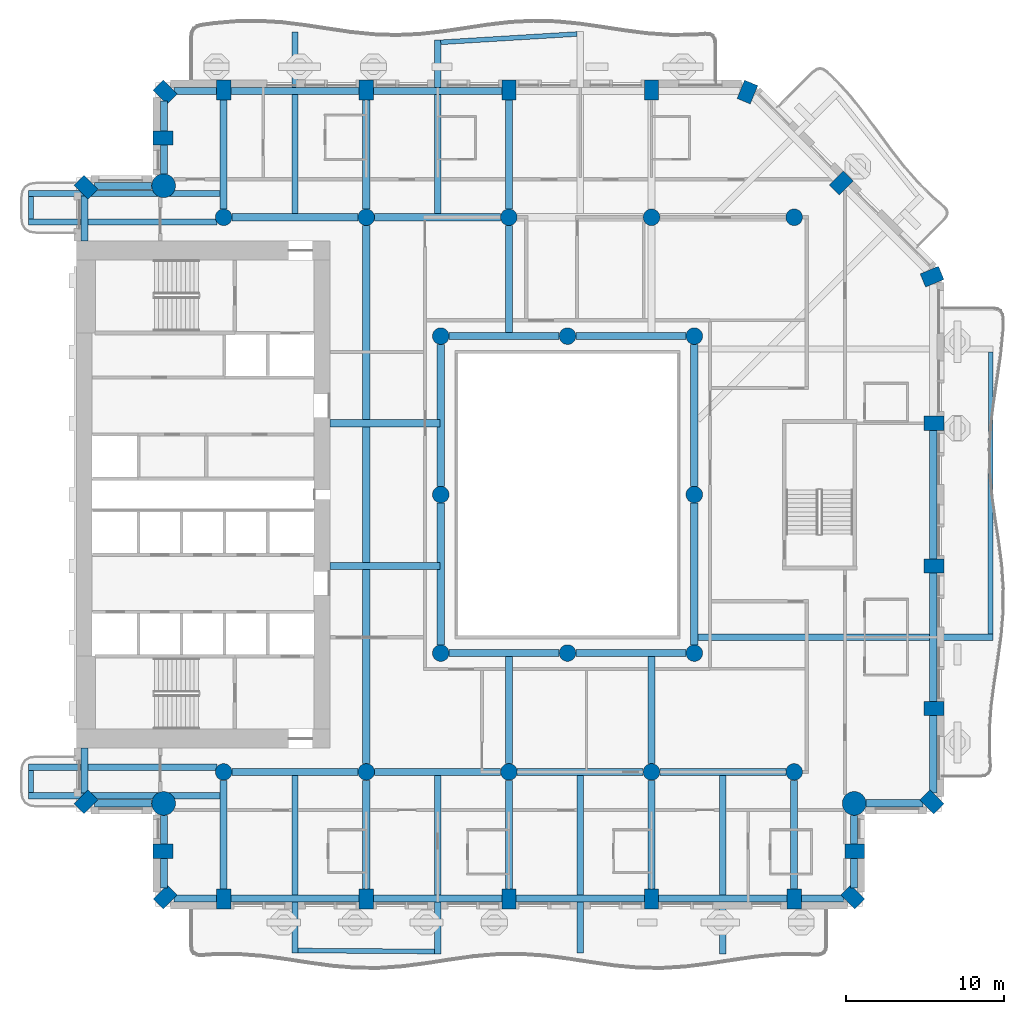
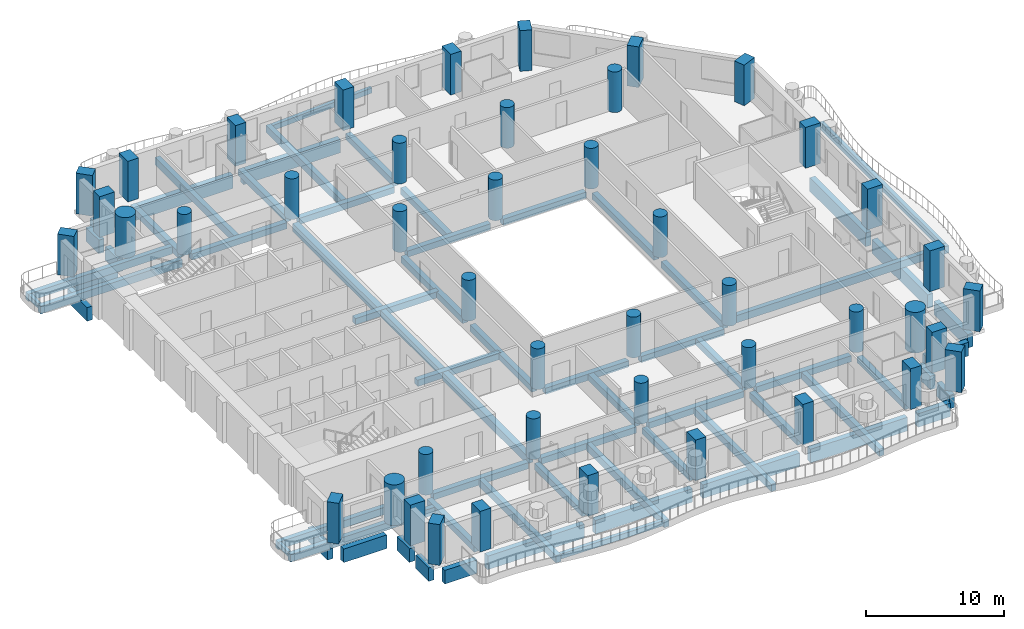
# One storey, part 1 of 19: 69 beams, 45 columns.
"""IFC4 building model written with IfcOpenShell, lengths in metres."""

from ifc_helpers import new_model, si_unit, direction, frame, origin, origin_2d, place, context, subcontext, project, spatial, rectangle, circle, extrude, material, material_profile, profile_set, type_object, element, save


model = new_model("IFC4")

# Units and contexts
model_context = context("Model", 3, precision=1e-05, world=origin(), true_north=direction((0.0, 1.0)))
body_context = subcontext(model_context, "Body", "Model", "MODEL_VIEW")
ifc_project = project(units=[si_unit("LENGTHUNIT", "METRE"), si_unit("AREAUNIT", "SQUARE_METRE"), si_unit("VOLUMEUNIT", "CUBIC_METRE"), si_unit("PLANEANGLEUNIT", "RADIAN"), si_unit("MASSUNIT", "GRAM", prefix="KILO")], contexts=[model_context])

# Site, building, storey
site_placement = place(None, origin())
site = spatial("IfcSite", under=ifc_project, at=site_placement, CompositionType="ELEMENT")
building_placement = place(site_placement, origin())
building = spatial("IfcBuilding", under=site, at=building_placement, Name="Cypress Arch Tower", CompositionType="ELEMENT")
storey_placement = place(building_placement, frame((0.0, 0.0, 105.89990234375)))
storey = spatial("IfcBuildingStorey", under=building, at=storey_placement, Name="L21", CompositionType="ELEMENT", Elevation=105.89990234375)

# Columns
ifc_material_1 = material(Name="Concrete C80/95", Category="concrete")
ifc_material_profile_1 = material_profile(ifc_material_1, rectangle(XDim=0.89990234375, YDim=1.25, at=origin_2d()), Name="RC 900x1250")
ifc_profile_set_1 = profile_set([ifc_material_profile_1], Name="Concrete C80/95")
column_type_1 = type_object("IfcColumnType", Name="Column RC 900x1250 Concrete C80/95", PredefinedType="COLUMN", material=ifc_profile_set_1)
for number, where, z_axis, x_axis, name in (
    (1, (-29.389892578125, 19.389892578125, 0.0), (0.0, 0.0, 1.0), (-0.707106781187, -0.707106781187, 0.0), "Column L21 CA00"),
    (2, (-29.389892578125, -19.389892578125, 0.0), (0.0, 0.0, 1.0), (0.707106781187, -0.707106781187, 0.0), "Column L21 CA01"),
    (3, (-24.52490234375, -22.5, 0.0), (0.0, 0.0, 1.0), (0.0, -1.0, 0.0), "Column L21 CA03"),
    (4, (-24.389892578125, -25.389892578125, 0.0), (0.0, 0.0, 1.0), (0.707106781187, -0.707106781187, 0.0), "Column L21 CA04"),
    (5, (-20.699951171875, -25.52490234375, 0.0), (0.0, 0.0, 1.0), (1.0, 0.0, 0.0), "Column L21 CA05"),
    (6, (-11.699951171875, -25.52490234375, 0.0), (0.0, 0.0, 1.0), (1.0, 0.0, 0.0), "Column L21 CA06"),
    (7, (-2.699951171875, -25.52490234375, 0.0), (0.0, 0.0, 1.0), (1.0, 0.0, 0.0), "Column L21 CA07"),
    (8, (6.300048828125, -25.52490234375, 0.0), (0.0, 0.0, 1.0), (1.0, 0.0, 0.0), "Column L21 CA08"),
    (9, (15.300048828125, -25.52490234375, 0.0), (0.0, 0.0, 1.0), (1.0, 0.0, 0.0), "Column L21 CA09"),
    (10, (18.98974609375, -25.389892578125, 0.0), (0.0, 0.0, 1.0), (0.707106781187, 0.707106781187, 0.0), "Column L21 CA10"),
    (11, (19.125, -22.5, 0.0), (0.0, 0.0, 1.0), (0.0, 1.0, 0.0), "Column L21 CA11"),
    (12, (23.98974609375, -19.389892578125, 0.0), (0.0, 0.0, 1.0), (0.707106781187, 0.707106781187, 0.0), "Column L21 CA13"),
    (13, (24.125, -13.5, 0.0), (0.0, 0.0, 1.0), (0.0, 1.0, 0.0), "Column L21 CA14"),
    (14, (24.125, -4.5, 0.0), (0.0, 0.0, 1.0), (0.0, 1.0, 0.0), "Column L21 CA15"),
    (15, (24.125, 4.5, 0.0), (0.0, 0.0, 1.0), (0.0, 1.0, 0.0), "Column L21 CA16"),
    (16, (24.00048828125, 13.751708984375, 0.0), (0.0, 0.0, 1.0), (-0.382683496864, 0.923879505795, 0.0), "Column L21 CA17"),
    (17, (18.26416015625, 19.6640625, 0.0), (0.0, 0.0, 1.0), (-0.707106781187, 0.707106781187, 0.0), "Column L21 CA18"),
    (18, (12.3515625, 25.400390625, 0.0), (0.0, 0.0, 1.0), (-0.923879505795, 0.382683496864, 0.0), "Column L21 CA19"),
    (19, (6.300048828125, 25.52490234375, 0.0), (0.0, 0.0, 1.0), (-1.0, 0.0, 0.0), "Column L21 CA20"),
    (20, (-2.699951171875, 25.52490234375, 0.0), (0.0, 0.0, 1.0), (-1.0, 0.0, 0.0), "Column L21 CA21"),
    (21, (-11.699951171875, 25.52490234375, 0.0), (0.0, 0.0, 1.0), (-1.0, 0.0, 0.0), "Column L21 CA22"),
    (22, (-20.699951171875, 25.52490234375, 0.0), (0.0, 0.0, 1.0), (-1.0, 0.0, 0.0), "Column L21 CA23"),
    (23, (-24.389892578125, 25.389892578125, 0.0), (0.0, 0.0, 1.0), (-0.707106781187, -0.707106781187, 0.0), "Column L21 CA24"),
    (24, (-24.52490234375, 22.5, 0.0), (0.0, 0.0, 1.0), (0.0, -1.0, 0.0), "Column L21 CA25"),
):
    element("IfcColumn", number, at=place(storey_placement, frame(where, z_axis=z_axis, x_axis=x_axis)), inside=storey, type_object=column_type_1, Name=name, PredefinedType="COLUMN", context=body_context, shape_type="SweptSolid", body=[
        extrude(rectangle(XDim=0.89990234375, YDim=1.25, at=origin_2d()), origin(), (0.0, 0.0, 1.0), 3.60009765625),
    ])
ifc_material_2 = material(Name="Concrete C70/85", Category="concrete")
ifc_material_profile_2 = material_profile(ifc_material_2, circle(Radius=0.52490234375, at=origin_2d()), Name="RC D1050")
ifc_profile_set_2 = profile_set([ifc_material_profile_2], Name="Concrete C70/85")
column_type_2 = type_object("IfcColumnType", Name="Column RC D1050 Concrete C70/85", PredefinedType="COLUMN", material=ifc_profile_set_2)
for number, where, z_axis, x_axis, name in (
    (25, (-20.699951171875, -17.5, 0.0), (0.0, 0.0, 1.0), (1.0, 0.0, 0.0), "Column L21 CIC-L21-CI3S"),
    (26, (-11.699951171875, -17.5, 0.0), (0.0, 0.0, 1.0), (1.0, 0.0, 0.0), "Column L21 CIC-L21-CI4S"),
    (27, (-2.699951171875, -17.5, 0.0), (0.0, 0.0, 1.0), (1.0, 0.0, 0.0), "Column L21 CIC-L21-CI5S"),
    (28, (6.300048828125, -17.5, 0.0), (0.0, 0.0, 1.0), (1.0, 0.0, 0.0), "Column L21 CIC-L21-CI6S"),
    (29, (15.300048828125, -17.5, 0.0), (0.0, 0.0, 1.0), (1.0, 0.0, 0.0), "Column L21 CIC-L21-CI7S"),
    (30, (-20.699951171875, 17.5, 0.0), (0.0, 0.0, 1.0), (1.0, 0.0, 0.0), "Column L21 CIC-L21-CI3N"),
    (31, (-11.699951171875, 17.5, 0.0), (0.0, 0.0, 1.0), (1.0, 0.0, 0.0), "Column L21 CIC-L21-CI4N"),
    (32, (-2.699951171875, 17.5, 0.0), (0.0, 0.0, 1.0), (1.0, 0.0, 0.0), "Column L21 CIC-L21-CI5N"),
    (33, (6.300048828125, 17.5, 0.0), (0.0, 0.0, 1.0), (1.0, 0.0, 0.0), "Column L21 CIC-L21-CI6N"),
    (34, (15.300048828125, 17.5, 0.0), (0.0, 0.0, 1.0), (1.0, 0.0, 0.0), "Column L21 CIC-L21-CI7N"),
    (35, (-7.0, -10.0, 0.0), (0.0, 0.0, 1.0), (1.0, 0.0, 0.0), "Column L21 RNG-L21-G-7-10"),
    (36, (-7.0, 0.0, 0.0), (0.0, 0.0, 1.0), (1.0, 0.0, 0.0), "Column L21 RNG-L21-G-7+0"),
    (37, (-7.0, 10.0, 0.0), (0.0, 0.0, 1.0), (1.0, 0.0, 0.0), "Column L21 RNG-L21-G-7+10"),
    (38, (1.0, -10.0, 0.0), (0.0, 0.0, 1.0), (1.0, 0.0, 0.0), "Column L21 RNG-L21-G+1-10"),
    (39, (1.0, 10.0, 0.0), (0.0, 0.0, 1.0), (1.0, 0.0, 0.0), "Column L21 RNG-L21-G+1+10"),
    (40, (9.0, -10.0, 0.0), (0.0, 0.0, 1.0), (1.0, 0.0, 0.0), "Column L21 RNG-L21-G+9-10"),
    (41, (9.0, 0.0, 0.0), (0.0, 0.0, 1.0), (1.0, 0.0, 0.0), "Column L21 RNG-L21-G+9+0"),
    (42, (9.0, 10.0, 0.0), (0.0, 0.0, 1.0), (1.0, 0.0, 0.0), "Column L21 RNG-L21-G+9+10"),
):
    element("IfcColumn", number, at=place(storey_placement, frame(where, z_axis=z_axis, x_axis=x_axis)), inside=storey, type_object=column_type_2, Name=name, PredefinedType="COLUMN", context=body_context, shape_type="SweptSolid", body=[
        extrude(circle(Radius=0.52490234375, at=origin_2d()), origin(), (0.0, 0.0, 1.0), 3.60009765625),
    ])
ifc_material_3 = material(Name="Concrete C80/95", Category="concrete")
ifc_material_profile_3 = material_profile(ifc_material_3, circle(Radius=0.75, at=origin_2d()), Name="RC D1500")
ifc_profile_set_3 = profile_set([ifc_material_profile_3], Name="Concrete C80/95")
column_type_3 = type_object("IfcColumnType", Name="Mega-column RC D1500 Concrete C80/95", PredefinedType="COLUMN", material=ifc_profile_set_3)
for number, where, z_axis, x_axis, name in (
    (43, (-24.48779296875, -19.48779296875, 0.0), (0.0, 0.0, 1.0), (1.0, 0.0, 0.0), "Column L21 CA02"),
    (44, (19.087890625, -19.48779296875, 0.0), (0.0, 0.0, 1.0), (1.0, 0.0, 0.0), "Column L21 CA12"),
    (45, (-24.48779296875, 19.48779296875, 0.0), (0.0, 0.0, 1.0), (1.0, 0.0, 0.0), "Column L21 CA26"),
):
    element("IfcColumn", number, at=place(storey_placement, frame(where, z_axis=z_axis, x_axis=x_axis)), inside=storey, type_object=column_type_3, Name=name, PredefinedType="COLUMN", context=body_context, shape_type="SweptSolid", body=[
        extrude(circle(Radius=0.75, at=origin_2d()), origin(), (0.0, 0.0, 1.0), 3.60009765625),
    ])

# Beams
ifc_material_4 = material(Name="Concrete C50/60", Category="concrete")
ifc_material_profile_4 = material_profile(ifc_material_4, rectangle(XDim=0.300048828125, YDim=0.449951171875, at=origin_2d()), Name="RC 300x450")
ifc_profile_set_4 = profile_set([ifc_material_profile_4], Name="Concrete C50/60")
beam_type_1 = type_object("IfcBeamType", Name="Balcony edge beam RC 300x450 Concrete C50/60", PredefinedType="BEAM", material=ifc_profile_set_4)
beam_1_placement = place(storey_placement, frame((-16.0, -28.769287109375, -0.52490234375), z_axis=(0.999974615171, -0.007125237847, 0.0), x_axis=(0.007125237847, 0.999974615171, 0.0)))
element("IfcBeam", 46, at=beam_1_placement, inside=storey, type_object=beam_type_1, Name="Balcony edge beam L21 A03", PredefinedType="BEAM", context=body_context, shape_type="SweptSolid", body=[
    extrude(rectangle(XDim=0.300048828125, YDim=0.449951171875, at=origin_2d()), origin(), (0.0, 0.0, 1.0), 8.600341796875),
])
beam_2_placement = place(storey_placement, frame((1.60009765625, 29.06298828125, -0.52490234375), z_axis=(-0.998166629553, -0.060525859329, 0.0), x_axis=(0.060525859329, -0.998166629553, 0.0)))
element("IfcBeam", 47, at=beam_2_placement, inside=storey, type_object=beam_type_1, Name="Balcony edge beam L21 A08", PredefinedType="BEAM", context=body_context, shape_type="SweptSolid", body=[
    extrude(rectangle(XDim=0.300048828125, YDim=0.449951171875, at=origin_2d()), origin(), (0.0, 0.0, 1.0), 8.615966796875),
])
ifc_material_5 = material(Name="Concrete C50/60", Category="concrete")
ifc_material_profile_5 = material_profile(ifc_material_5, rectangle(XDim=0.300048828125, YDim=0.64990234375, at=origin_2d()), Name="RC 300x650")
ifc_profile_set_5 = profile_set([ifc_material_profile_5], Name="Concrete C50/60")
beam_type_2 = type_object("IfcBeamType", Name="Balcony edge beam RC 300x650 Concrete C50/60", PredefinedType="BEAM", material=ifc_profile_set_5)
beam_3_placement = place(storey_placement, frame((27.687255859375, -8.800048828125, -0.625), z_axis=(0.000864683518, 0.999999626161, 0.0), x_axis=(-0.999999626161, 0.000864683518, 0.0)))
element("IfcBeam", 48, at=beam_3_placement, inside=storey, type_object=beam_type_2, Name="Balcony edge beam L21 A06", PredefinedType="BEAM", context=body_context, shape_type="SweptSolid", body=[
    extrude(rectangle(XDim=0.300048828125, YDim=0.64990234375, at=origin_2d()), origin(), (0.0, 0.0, 1.0), 17.787841796875),
])
ifc_material_6 = material(Name="Concrete C50/60", Category="concrete")
ifc_material_profile_6 = material_profile(ifc_material_6, rectangle(XDim=0.300048828125, YDim=0.39990234375, at=origin_2d()), Name="RC 300x400")
ifc_profile_set_6 = profile_set([ifc_material_profile_6], Name="Concrete C50/60")
beam_type_3 = type_object("IfcBeamType", Name="Balcony stub beam RC 300x400 Concrete C50/60", PredefinedType="BEAM", material=ifc_profile_set_6)
for number, where, z_axis, x_axis, name in (
    (49, (-32.85009765625, 18.800048828125, -0.5), (0.0, -1.0, 0.0), (1.0, 0.0, 0.0), "Balcony stub beam L21 A00W0"),
    (50, (-32.85009765625, -17.39990234375, -0.5), (0.0, -1.0, 0.0), (1.0, 0.0, 0.0), "Balcony stub beam L21 A00W1"),
):
    element("IfcBeam", number, at=place(storey_placement, frame(where, z_axis=z_axis, x_axis=x_axis)), inside=storey, type_object=beam_type_3, Name=name, PredefinedType="BEAM", context=body_context, shape_type="SweptSolid", body=[
        extrude(rectangle(XDim=0.300048828125, YDim=0.39990234375, at=origin_2d()), origin(), (0.0, 0.0, 1.0), 1.400146484375),
    ])
ifc_material_7 = material(Name="Concrete C50/60", Category="concrete")
ifc_material_profile_7 = material_profile(ifc_material_7, rectangle(XDim=0.39990234375, YDim=0.64990234375, at=origin_2d()), Name="RC 400x650")
ifc_profile_set_7 = profile_set([ifc_material_profile_7], Name="Concrete C50/60")
beam_type_4 = type_object("IfcBeamType", Name="Cantilever beam RC 400x650 Concrete C50/60", PredefinedType="BEAM", material=ifc_profile_set_7)
beam_4_placement = place(storey_placement, frame((-20.925048828125, 19.0, -0.625), z_axis=(-1.0, 0.0, 0.0), x_axis=(0.0, -1.0, 0.0)))
element("IfcBeam", 51, at=beam_4_placement, inside=storey, type_object=beam_type_4, Name="Cantilever beam L21 A00 1", PredefinedType="BEAM", context=body_context, shape_type="SweptSolid", body=[
    extrude(rectangle(XDim=0.39990234375, YDim=0.64990234375, at=origin_2d()), origin(), (0.0, 0.0, 1.0), 12.074951171875),
])
for number, where, z_axis, x_axis, name in (
    (52, (-21.130615234375, 17.199951171875, -0.625), (-1.0, 0.0, 0.0), (0.0, -1.0, 0.0), "Cantilever beam L21 A00 2"),
    (53, (-21.130615234375, -17.199951171875, -0.625), (-1.0, 0.0, 0.0), (0.0, -1.0, 0.0), "Cantilever beam L21 A00 1"),
):
    element("IfcBeam", number, at=place(storey_placement, frame(where, z_axis=z_axis, x_axis=x_axis)), inside=storey, type_object=beam_type_4, Name=name, PredefinedType="BEAM", context=body_context, shape_type="SweptSolid", body=[
        extrude(rectangle(XDim=0.39990234375, YDim=0.64990234375, at=origin_2d()), origin(), (0.0, 0.0, 1.0), 11.869384765625),
    ])
beam_5_placement = place(storey_placement, frame((-20.925048828125, -19.0, -0.625), z_axis=(-1.0, 0.0, 0.0), x_axis=(0.0, -1.0, 0.0)))
element("IfcBeam", 54, at=beam_5_placement, inside=storey, type_object=beam_type_4, Name="Cantilever beam L21 A00 2", PredefinedType="BEAM", context=body_context, shape_type="SweptSolid", body=[
    extrude(rectangle(XDim=0.39990234375, YDim=0.64990234375, at=origin_2d()), origin(), (0.0, 0.0, 1.0), 12.074951171875),
])
beam_6_placement = place(storey_placement, frame((-16.199951171875, -17.72509765625, -0.625), z_axis=(0.0, -1.0, 0.0), x_axis=(1.0, 0.0, 0.0)))
element("IfcBeam", 55, at=beam_6_placement, inside=storey, type_object=beam_type_4, Name="Cantilever beam L21 A03 1", PredefinedType="BEAM", context=body_context, shape_type="SweptSolid", body=[
    extrude(rectangle(XDim=0.39990234375, YDim=0.64990234375, at=origin_2d()), origin(), (0.0, 0.0, 1.0), 11.194091796875),
])
beam_7_placement = place(storey_placement, frame((-7.199951171875, -17.72509765625, -0.625), z_axis=(0.0, -1.0, 0.0), x_axis=(1.0, 0.0, 0.0)))
element("IfcBeam", 56, at=beam_7_placement, inside=storey, type_object=beam_type_4, Name="Cantilever beam L21 A03 2", PredefinedType="BEAM", context=body_context, shape_type="SweptSolid", body=[
    extrude(rectangle(XDim=0.39990234375, YDim=0.64990234375, at=origin_2d()), origin(), (0.0, 0.0, 1.0), 11.25537109375),
])
beam_8_placement = place(storey_placement, frame((1.800048828125, -17.72509765625, -0.625), z_axis=(0.0, -1.0, 0.0), x_axis=(1.0, 0.0, 0.0)))
element("IfcBeam", 57, at=beam_8_placement, inside=storey, type_object=beam_type_4, Name="Cantilever beam L21 A03 3", PredefinedType="BEAM", context=body_context, shape_type="SweptSolid", body=[
    extrude(rectangle(XDim=0.39990234375, YDim=0.64990234375, at=origin_2d()), origin(), (0.0, 0.0, 1.0), 11.19482421875),
])
beam_9_placement = place(storey_placement, frame((10.800048828125, -17.72509765625, -0.625), z_axis=(0.0, -1.0, 0.0), x_axis=(1.0, 0.0, 0.0)))
element("IfcBeam", 58, at=beam_9_placement, inside=storey, type_object=beam_type_4, Name="Cantilever beam L21 A03 4", PredefinedType="BEAM", context=body_context, shape_type="SweptSolid", body=[
    extrude(rectangle(XDim=0.39990234375, YDim=0.64990234375, at=origin_2d()), origin(), (0.0, 0.0, 1.0), 11.2548828125),
])
beam_10_placement = place(storey_placement, frame((9.22509765625, -9.0, -0.625), z_axis=(1.0, 0.0, 0.0), x_axis=(0.0, 1.0, 0.0)))
element("IfcBeam", 59, at=beam_10_placement, inside=storey, type_object=beam_type_4, Name="Cantilever beam L21 A06 1", PredefinedType="BEAM", context=body_context, shape_type="SweptSolid", body=[
    extrude(rectangle(XDim=0.39990234375, YDim=0.64990234375, at=origin_2d()), origin(), (0.0, 0.0, 1.0), 18.6123046875),
])
beam_11_placement = place(storey_placement, frame((-7.199951171875, 17.72509765625, -0.625), z_axis=(0.0, 1.0, 0.0), x_axis=(-1.0, 0.0, 0.0)))
element("IfcBeam", 60, at=beam_11_placement, inside=storey, type_object=beam_type_4, Name="Cantilever beam L21 A08 2", PredefinedType="BEAM", context=body_context, shape_type="SweptSolid", body=[
    extrude(rectangle(XDim=0.39990234375, YDim=0.64990234375, at=origin_2d()), origin(), (0.0, 0.0, 1.0), 10.96630859375),
])
beam_12_placement = place(storey_placement, frame((-16.199951171875, 17.72509765625, -0.625), z_axis=(0.0, 1.0, 0.0), x_axis=(-1.0, 0.0, 0.0)))
element("IfcBeam", 61, at=beam_12_placement, inside=storey, type_object=beam_type_4, Name="Cantilever beam L21 A08 3", PredefinedType="BEAM", context=body_context, shape_type="SweptSolid", body=[
    extrude(rectangle(XDim=0.39990234375, YDim=0.64990234375, at=origin_2d()), origin(), (0.0, 0.0, 1.0), 11.48095703125),
])
ifc_material_8 = material(Name="Concrete C50/60", Category="concrete")
ifc_material_profile_8 = material_profile(ifc_material_8, rectangle(XDim=0.449951171875, YDim=0.550048828125, at=origin_2d()), Name="RC 450x550")
ifc_profile_set_8 = profile_set([ifc_material_profile_8], Name="Concrete C50/60")
beam_type_5 = type_object("IfcBeamType", Name="Floor beam RC 450x550 Concrete C50/60", PredefinedType="BEAM", material=ifc_profile_set_8)
for number, where, z_axis, x_axis, name in (
    (62, (-7.0, -9.47509765625, -0.574951171875), (0.0, 1.0, 0.0), (-1.0, 0.0, 0.0), "Floor beam L21 RB001"),
    (63, (-7.0, 0.52490234375, -0.574951171875), (0.0, 1.0, 0.0), (-1.0, 0.0, 0.0), "Floor beam L21 RB002"),
    (64, (9.0, -9.47509765625, -0.574951171875), (0.0, 1.0, 0.0), (-1.0, 0.0, 0.0), "Floor beam L21 RB003"),
    (65, (9.0, 0.52490234375, -0.574951171875), (0.0, 1.0, 0.0), (-1.0, 0.0, 0.0), "Floor beam L21 RB004"),
):
    element("IfcBeam", number, at=place(storey_placement, frame(where, z_axis=z_axis, x_axis=x_axis)), inside=storey, type_object=beam_type_5, Name=name, PredefinedType="BEAM", context=body_context, shape_type="SweptSolid", body=[
        extrude(rectangle(XDim=0.449951171875, YDim=0.550048828125, at=origin_2d()), origin(), (0.0, 0.0, 1.0), 8.9501953125),
    ])
for number, where, z_axis, x_axis, name in (
    (66, (-6.47509765625, -10.0, -0.574951171875), (1.0, 0.0, 0.0), (0.0, 1.0, 0.0), "Floor beam L21 RB005"),
    (67, (1.52490234375, -10.0, -0.574951171875), (1.0, 0.0, 0.0), (0.0, 1.0, 0.0), "Floor beam L21 RB006"),
    (68, (-6.47509765625, 10.0, -0.574951171875), (1.0, 0.0, 0.0), (0.0, 1.0, 0.0), "Floor beam L21 RB007"),
    (69, (1.52490234375, 10.0, -0.574951171875), (1.0, 0.0, 0.0), (0.0, 1.0, 0.0), "Floor beam L21 RB008"),
):
    element("IfcBeam", number, at=place(storey_placement, frame(where, z_axis=z_axis, x_axis=x_axis)), inside=storey, type_object=beam_type_5, Name=name, PredefinedType="BEAM", context=body_context, shape_type="SweptSolid", body=[
        extrude(rectangle(XDim=0.449951171875, YDim=0.550048828125, at=origin_2d()), origin(), (0.0, 0.0, 1.0), 6.9501953125),
    ])
for number, where, z_axis, x_axis, name in (
    (70, (-20.175048828125, -17.5, -0.574951171875), (1.0, 0.0, 0.0), (0.0, 1.0, 0.0), "Floor beam L21 FB009"),
    (71, (-11.175048828125, -17.5, -0.574951171875), (1.0, 0.0, 0.0), (0.0, 1.0, 0.0), "Floor beam L21 FB010"),
    (72, (-2.175048828125, -17.5, -0.574951171875), (1.0, 0.0, 0.0), (0.0, 1.0, 0.0), "Floor beam L21 FB011"),
    (73, (6.824951171875, -17.5, -0.574951171875), (1.0, 0.0, 0.0), (0.0, 1.0, 0.0), "Floor beam L21 FB012"),
):
    element("IfcBeam", number, at=place(storey_placement, frame(where, z_axis=z_axis, x_axis=x_axis)), inside=storey, type_object=beam_type_5, Name=name, PredefinedType="BEAM", context=body_context, shape_type="SweptSolid", body=[
        extrude(rectangle(XDim=0.449951171875, YDim=0.550048828125, at=origin_2d()), origin(), (0.0, 0.0, 1.0), 7.949951171875),
    ])
for number, where, z_axis, x_axis, name in (
    (74, (-14.0, -4.5, -0.574951171875), (1.0, 0.0, 0.0), (0.0, 1.0, 0.0), "Floor beam L21 FB013"),
    (75, (-14.0, 4.5, -0.574951171875), (1.0, 0.0, 0.0), (0.0, 1.0, 0.0), "Floor beam L21 FB014"),
):
    element("IfcBeam", number, at=place(storey_placement, frame(where, z_axis=z_axis, x_axis=x_axis)), inside=storey, type_object=beam_type_5, Name=name, PredefinedType="BEAM", context=body_context, shape_type="SweptSolid", body=[
        extrude(rectangle(XDim=0.449951171875, YDim=0.550048828125, at=origin_2d()), origin(), (0.0, 0.0, 1.0), 6.949951171875),
    ])
for number, where, z_axis, x_axis, name in (
    (76, (-20.175048828125, 17.5, -0.574951171875), (1.0, 0.0, 0.0), (0.0, 1.0, 0.0), "Floor beam L21 FB015"),
    (77, (-11.175048828125, 17.5, -0.574951171875), (1.0, 0.0, 0.0), (0.0, 1.0, 0.0), "Floor beam L21 FB016"),
):
    element("IfcBeam", number, at=place(storey_placement, frame(where, z_axis=z_axis, x_axis=x_axis)), inside=storey, type_object=beam_type_5, Name=name, PredefinedType="BEAM", context=body_context, shape_type="SweptSolid", body=[
        extrude(rectangle(XDim=0.449951171875, YDim=0.550048828125, at=origin_2d()), origin(), (0.0, 0.0, 1.0), 7.949951171875),
    ])
for number, where, z_axis, x_axis, name in (
    (78, (-20.699951171875, -24.89990234375, -0.574951171875), (0.0, 1.0, 0.0), (-1.0, 0.0, 0.0), "Floor beam L21 FB019"),
    (79, (-20.699951171875, 18.02490234375, -0.574951171875), (0.0, 1.0, 0.0), (-1.0, 0.0, 0.0), "Floor beam L21 FB020"),
    (80, (-11.699951171875, -24.89990234375, -0.574951171875), (0.0, 1.0, 0.0), (-1.0, 0.0, 0.0), "Floor beam L21 FB021"),
):
    element("IfcBeam", number, at=place(storey_placement, frame(where, z_axis=z_axis, x_axis=x_axis)), inside=storey, type_object=beam_type_5, Name=name, PredefinedType="BEAM", context=body_context, shape_type="SweptSolid", body=[
        extrude(rectangle(XDim=0.449951171875, YDim=0.550048828125, at=origin_2d()), origin(), (0.0, 0.0, 1.0), 6.875),
    ])
beam_13_placement = place(storey_placement, frame((-11.699951171875, -4.27490234375, -0.574951171875), z_axis=(0.0, 1.0, 0.0), x_axis=(-1.0, 0.0, 0.0)))
element("IfcBeam", 81, at=beam_13_placement, inside=storey, type_object=beam_type_5, Name="Floor beam L21 FB023", PredefinedType="BEAM", context=body_context, shape_type="SweptSolid", body=[
    extrude(rectangle(XDim=0.449951171875, YDim=0.550048828125, at=origin_2d()), origin(), (0.0, 0.0, 1.0), 8.5498046875),
])
for number, where, z_axis, x_axis, name in (
    (82, (-11.699951171875, 18.02490234375, -0.574951171875), (0.0, 1.0, 0.0), (-1.0, 0.0, 0.0), "Floor beam L21 FB025"),
    (83, (-2.699951171875, -24.89990234375, -0.574951171875), (0.0, 1.0, 0.0), (-1.0, 0.0, 0.0), "Floor beam L21 FB026"),
):
    element("IfcBeam", number, at=place(storey_placement, frame(where, z_axis=z_axis, x_axis=x_axis)), inside=storey, type_object=beam_type_5, Name=name, PredefinedType="BEAM", context=body_context, shape_type="SweptSolid", body=[
        extrude(rectangle(XDim=0.449951171875, YDim=0.550048828125, at=origin_2d()), origin(), (0.0, 0.0, 1.0), 6.875),
    ])
for number, where, z_axis, x_axis, name in (
    (84, (-2.699951171875, -16.97509765625, -0.574951171875), (0.0, 1.0, 0.0), (-1.0, 0.0, 0.0), "Floor beam L21 FB027"),
    (85, (-2.699951171875, 10.22509765625, -0.574951171875), (0.0, 1.0, 0.0), (-1.0, 0.0, 0.0), "Floor beam L21 FB028"),
):
    element("IfcBeam", number, at=place(storey_placement, frame(where, z_axis=z_axis, x_axis=x_axis)), inside=storey, type_object=beam_type_5, Name=name, PredefinedType="BEAM", context=body_context, shape_type="SweptSolid", body=[
        extrude(rectangle(XDim=0.449951171875, YDim=0.550048828125, at=origin_2d()), origin(), (0.0, 0.0, 1.0), 6.75),
    ])
for number, where, z_axis, x_axis, name in (
    (86, (-2.699951171875, 18.02490234375, -0.574951171875), (0.0, 1.0, 0.0), (-1.0, 0.0, 0.0), "Floor beam L21 FB029"),
    (87, (6.300048828125, -24.89990234375, -0.574951171875), (0.0, 1.0, 0.0), (-1.0, 0.0, 0.0), "Floor beam L21 FB030"),
):
    element("IfcBeam", number, at=place(storey_placement, frame(where, z_axis=z_axis, x_axis=x_axis)), inside=storey, type_object=beam_type_5, Name=name, PredefinedType="BEAM", context=body_context, shape_type="SweptSolid", body=[
        extrude(rectangle(XDim=0.449951171875, YDim=0.550048828125, at=origin_2d()), origin(), (0.0, 0.0, 1.0), 6.875),
    ])
beam_14_placement = place(storey_placement, frame((6.300048828125, -16.97509765625, -0.574951171875), z_axis=(0.0, 1.0, 0.0), x_axis=(-1.0, 0.0, 0.0)))
element("IfcBeam", 88, at=beam_14_placement, inside=storey, type_object=beam_type_5, Name="Floor beam L21 FB031", PredefinedType="BEAM", context=body_context, shape_type="SweptSolid", body=[
    extrude(rectangle(XDim=0.449951171875, YDim=0.550048828125, at=origin_2d()), origin(), (0.0, 0.0, 1.0), 6.75),
])
beam_15_placement = place(storey_placement, frame((15.300048828125, -24.89990234375, -0.574951171875), z_axis=(0.0, 1.0, 0.0), x_axis=(-1.0, 0.0, 0.0)))
element("IfcBeam", 89, at=beam_15_placement, inside=storey, type_object=beam_type_5, Name="Floor beam L21 FB034", PredefinedType="BEAM", context=body_context, shape_type="SweptSolid", body=[
    extrude(rectangle(XDim=0.449951171875, YDim=0.550048828125, at=origin_2d()), origin(), (0.0, 0.0, 1.0), 6.875),
])
ifc_material_9 = material(Name="Concrete C50/60", Category="concrete")
ifc_material_profile_9 = material_profile(ifc_material_9, rectangle(XDim=0.5, YDim=0.699951171875, at=origin_2d()), Name="RC 500x700")
ifc_profile_set_9 = profile_set([ifc_material_profile_9], Name="Concrete C50/60")
beam_type_6 = type_object("IfcBeamType", Name="Floor beam RC 500x700 Concrete C50/60", PredefinedType="BEAM", material=ifc_profile_set_9)
for number, where, z_axis, x_axis, name in (
    (90, (-11.699951171875, -16.97509765625, -0.64990234375), (0.0, 1.0, 0.0), (-1.0, 0.0, 0.0), "Floor beam L21 FB022"),
    (91, (-11.699951171875, 4.72509765625, -0.64990234375), (0.0, 1.0, 0.0), (-1.0, 0.0, 0.0), "Floor beam L21 FB024"),
):
    element("IfcBeam", number, at=place(storey_placement, frame(where, z_axis=z_axis, x_axis=x_axis)), inside=storey, type_object=beam_type_6, Name=name, PredefinedType="BEAM", context=body_context, shape_type="SweptSolid", body=[
        extrude(rectangle(XDim=0.5, YDim=0.699951171875, at=origin_2d()), origin(), (0.0, 0.0, 1.0), 12.25),
    ])
ifc_material_10 = material(Name="Concrete C50/60", Category="concrete")
ifc_material_profile_10 = material_profile(ifc_material_10, rectangle(XDim=0.449951171875, YDim=1.199951171875, at=origin_2d()), Name="RC 450x1200")
ifc_profile_set_10 = profile_set([ifc_material_profile_10], Name="Concrete C50/60")
beam_type_7 = type_object("IfcBeamType", Name="Spandrel beam RC 450x1200 Concrete C50/60", PredefinedType="SPANDREL", material=ifc_profile_set_10)
for number, where, z_axis, x_axis, name in (
    (92, (-29.47509765625, 18.838623046875, -1.5498046875), (0.0, -1.0, 0.0), (1.0, 0.0, 0.0), "Spandrel beam L21 BA00-0"),
    (93, (-29.47509765625, -16.0, -1.5498046875), (0.0, -1.0, 0.0), (1.0, 0.0, 0.0), "Spandrel beam L21 BA00-0"),
):
    element("IfcBeam", number, at=place(storey_placement, frame(where, z_axis=z_axis, x_axis=x_axis)), inside=storey, type_object=beam_type_7, Name=name, PredefinedType="SPANDREL", context=body_context, shape_type="SweptSolid", body=[
        extrude(rectangle(XDim=0.449951171875, YDim=1.199951171875, at=origin_2d()), origin(), (0.0, 0.0, 1.0), 2.838623046875),
    ])
beam_16_placement = place(storey_placement, frame((-28.838623046875, -19.47509765625, -1.5498046875), z_axis=(1.0, 0.0, 0.0), x_axis=(0.0, 1.0, 0.0)))
element("IfcBeam", 94, at=beam_16_placement, inside=storey, type_object=beam_type_7, Name="Spandrel beam L21 BA01-0", PredefinedType="SPANDREL", context=body_context, shape_type="SweptSolid", body=[
    extrude(rectangle(XDim=0.449951171875, YDim=1.199951171875, at=origin_2d()), origin(), (0.0, 0.0, 1.0), 3.60107421875),
])
beam_17_placement = place(storey_placement, frame((-24.47509765625, -20.237548828125, -1.5498046875), z_axis=(0.0, -1.0, 0.0), x_axis=(1.0, 0.0, 0.0)))
element("IfcBeam", 95, at=beam_17_placement, inside=storey, type_object=beam_type_7, Name="Spandrel beam L21 BA02-0", PredefinedType="SPANDREL", context=body_context, shape_type="SweptSolid", body=[
    extrude(rectangle(XDim=0.449951171875, YDim=1.199951171875, at=origin_2d()), origin(), (0.0, 0.0, 1.0), 1.8125),
])
beam_18_placement = place(storey_placement, frame((-24.47509765625, -22.949951171875, -1.5498046875), z_axis=(0.0, -1.0, 0.0), x_axis=(1.0, 0.0, 0.0)))
element("IfcBeam", 96, at=beam_18_placement, inside=storey, type_object=beam_type_7, Name="Spandrel beam L21 BA02-1", PredefinedType="SPANDREL", context=body_context, shape_type="SweptSolid", body=[
    extrude(rectangle(XDim=0.449951171875, YDim=1.199951171875, at=origin_2d()), origin(), (0.0, 0.0, 1.0), 1.888671875),
])
beam_19_placement = place(storey_placement, frame((-23.838623046875, -25.47509765625, -1.5498046875), z_axis=(1.0, 0.0, 0.0), x_axis=(0.0, 1.0, 0.0)))
element("IfcBeam", 97, at=beam_19_placement, inside=storey, type_object=beam_type_7, Name="Spandrel beam L21 BA03-0", PredefinedType="SPANDREL", context=body_context, shape_type="SweptSolid", body=[
    extrude(rectangle(XDim=0.449951171875, YDim=1.199951171875, at=origin_2d()), origin(), (0.0, 0.0, 1.0), 2.688720703125),
])
for number, where, z_axis, x_axis, name in (
    (98, (-20.25, -25.47509765625, -1.5498046875), (1.0, 0.0, 0.0), (0.0, 1.0, 0.0), "Spandrel beam L21 BA03-1"),
    (99, (-11.25, -25.47509765625, -1.5498046875), (1.0, 0.0, 0.0), (0.0, 1.0, 0.0), "Spandrel beam L21 BA03-2"),
    (100, (-2.25, -25.47509765625, -1.5498046875), (1.0, 0.0, 0.0), (0.0, 1.0, 0.0), "Spandrel beam L21 BA03-3"),
    (101, (6.75, -25.47509765625, -1.5498046875), (1.0, 0.0, 0.0), (0.0, 1.0, 0.0), "Spandrel beam L21 BA03-4"),
):
    element("IfcBeam", number, at=place(storey_placement, frame(where, z_axis=z_axis, x_axis=x_axis)), inside=storey, type_object=beam_type_7, Name=name, PredefinedType="SPANDREL", context=body_context, shape_type="SweptSolid", body=[
        extrude(rectangle(XDim=0.449951171875, YDim=1.199951171875, at=origin_2d()), origin(), (0.0, 0.0, 1.0), 8.10009765625),
    ])
beam_20_placement = place(storey_placement, frame((15.75, -25.47509765625, -1.5498046875), z_axis=(1.0, 0.0, 0.0), x_axis=(0.0, 1.0, 0.0)))
element("IfcBeam", 102, at=beam_20_placement, inside=storey, type_object=beam_type_7, Name="Spandrel beam L21 BA03-5", PredefinedType="SPANDREL", context=body_context, shape_type="SweptSolid", body=[
    extrude(rectangle(XDim=0.449951171875, YDim=1.199951171875, at=origin_2d()), origin(), (0.0, 0.0, 1.0), 2.688720703125),
])
beam_21_placement = place(storey_placement, frame((19.074951171875, -24.838623046875, -1.5498046875), z_axis=(0.0, 1.0, 0.0), x_axis=(-1.0, 0.0, 0.0)))
element("IfcBeam", 103, at=beam_21_placement, inside=storey, type_object=beam_type_7, Name="Spandrel beam L21 BA04-0", PredefinedType="SPANDREL", context=body_context, shape_type="SweptSolid", body=[
    extrude(rectangle(XDim=0.449951171875, YDim=1.199951171875, at=origin_2d()), origin(), (0.0, 0.0, 1.0), 1.888671875),
])
beam_22_placement = place(storey_placement, frame((19.074951171875, -22.050048828125, -1.5498046875), z_axis=(0.0, 1.0, 0.0), x_axis=(-1.0, 0.0, 0.0)))
element("IfcBeam", 104, at=beam_22_placement, inside=storey, type_object=beam_type_7, Name="Spandrel beam L21 BA04-1", PredefinedType="SPANDREL", context=body_context, shape_type="SweptSolid", body=[
    extrude(rectangle(XDim=0.449951171875, YDim=1.199951171875, at=origin_2d()), origin(), (0.0, 0.0, 1.0), 1.8125),
])
beam_23_placement = place(storey_placement, frame((19.837646484375, -19.47509765625, -1.5498046875), z_axis=(1.0, 0.0, 0.0), x_axis=(0.0, 1.0, 0.0)))
element("IfcBeam", 105, at=beam_23_placement, inside=storey, type_object=beam_type_7, Name="Spandrel beam L21 BA05-0", PredefinedType="SPANDREL", context=body_context, shape_type="SweptSolid", body=[
    extrude(rectangle(XDim=0.449951171875, YDim=1.199951171875, at=origin_2d()), origin(), (0.0, 0.0, 1.0), 3.60107421875),
])
beam_24_placement = place(storey_placement, frame((24.074951171875, -18.838623046875, -1.5498046875), z_axis=(0.0, 1.0, 0.0), x_axis=(-1.0, 0.0, 0.0)))
element("IfcBeam", 106, at=beam_24_placement, inside=storey, type_object=beam_type_7, Name="Spandrel beam L21 BA06-0", PredefinedType="SPANDREL", context=body_context, shape_type="SweptSolid", body=[
    extrude(rectangle(XDim=0.449951171875, YDim=1.199951171875, at=origin_2d()), origin(), (0.0, 0.0, 1.0), 4.888671875),
])
for number, where, z_axis, x_axis, name in (
    (107, (24.074951171875, -13.050048828125, -1.5498046875), (0.0, 1.0, 0.0), (-1.0, 0.0, 0.0), "Spandrel beam L21 BA06-1"),
    (108, (24.074951171875, -4.050048828125, -1.5498046875), (0.0, 1.0, 0.0), (-1.0, 0.0, 0.0), "Spandrel beam L21 BA06-2"),
    (109, (-3.14990234375, 25.47509765625, -1.5498046875), (-1.0, 0.0, 0.0), (0.0, -1.0, 0.0), "Spandrel beam L21 BA08-2"),
    (110, (-12.14990234375, 25.47509765625, -1.5498046875), (-1.0, 0.0, 0.0), (0.0, -1.0, 0.0), "Spandrel beam L21 BA08-3"),
):
    element("IfcBeam", number, at=place(storey_placement, frame(where, z_axis=z_axis, x_axis=x_axis)), inside=storey, type_object=beam_type_7, Name=name, PredefinedType="SPANDREL", context=body_context, shape_type="SweptSolid", body=[
        extrude(rectangle(XDim=0.449951171875, YDim=1.199951171875, at=origin_2d()), origin(), (0.0, 0.0, 1.0), 8.10009765625),
    ])
beam_25_placement = place(storey_placement, frame((-21.14990234375, 25.47509765625, -1.5498046875), z_axis=(-1.0, 0.0, 0.0), x_axis=(0.0, -1.0, 0.0)))
element("IfcBeam", 111, at=beam_25_placement, inside=storey, type_object=beam_type_7, Name="Spandrel beam L21 BA08-4", PredefinedType="SPANDREL", context=body_context, shape_type="SweptSolid", body=[
    extrude(rectangle(XDim=0.449951171875, YDim=1.199951171875, at=origin_2d()), origin(), (0.0, 0.0, 1.0), 2.688720703125),
])
beam_26_placement = place(storey_placement, frame((-24.47509765625, 24.838623046875, -1.5498046875), z_axis=(0.0, -1.0, 0.0), x_axis=(1.0, 0.0, 0.0)))
element("IfcBeam", 112, at=beam_26_placement, inside=storey, type_object=beam_type_7, Name="Spandrel beam L21 BA09-0", PredefinedType="SPANDREL", context=body_context, shape_type="SweptSolid", body=[
    extrude(rectangle(XDim=0.449951171875, YDim=1.199951171875, at=origin_2d()), origin(), (0.0, 0.0, 1.0), 1.888671875),
])
beam_27_placement = place(storey_placement, frame((-24.47509765625, 22.050048828125, -1.5498046875), z_axis=(0.0, -1.0, 0.0), x_axis=(1.0, 0.0, 0.0)))
element("IfcBeam", 113, at=beam_27_placement, inside=storey, type_object=beam_type_7, Name="Spandrel beam L21 BA09-1", PredefinedType="SPANDREL", context=body_context, shape_type="SweptSolid", body=[
    extrude(rectangle(XDim=0.449951171875, YDim=1.199951171875, at=origin_2d()), origin(), (0.0, 0.0, 1.0), 1.8125),
])
beam_28_placement = place(storey_placement, frame((-25.237548828125, 19.47509765625, -1.5498046875), z_axis=(-1.0, 0.0, 0.0), x_axis=(0.0, -1.0, 0.0)))
element("IfcBeam", 114, at=beam_28_placement, inside=storey, type_object=beam_type_7, Name="Spandrel beam L21 BA10-0", PredefinedType="SPANDREL", context=body_context, shape_type="SweptSolid", body=[
    extrude(rectangle(XDim=0.449951171875, YDim=1.199951171875, at=origin_2d()), origin(), (0.0, 0.0, 1.0), 3.60107421875),
])

save(model, "model.ifc")
